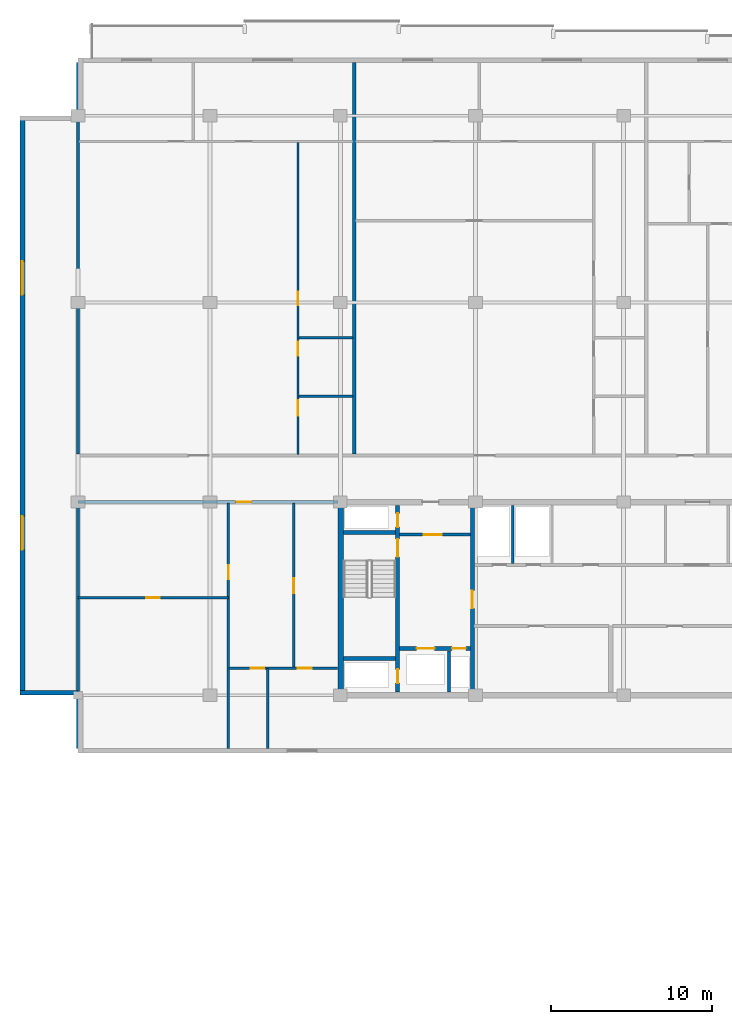
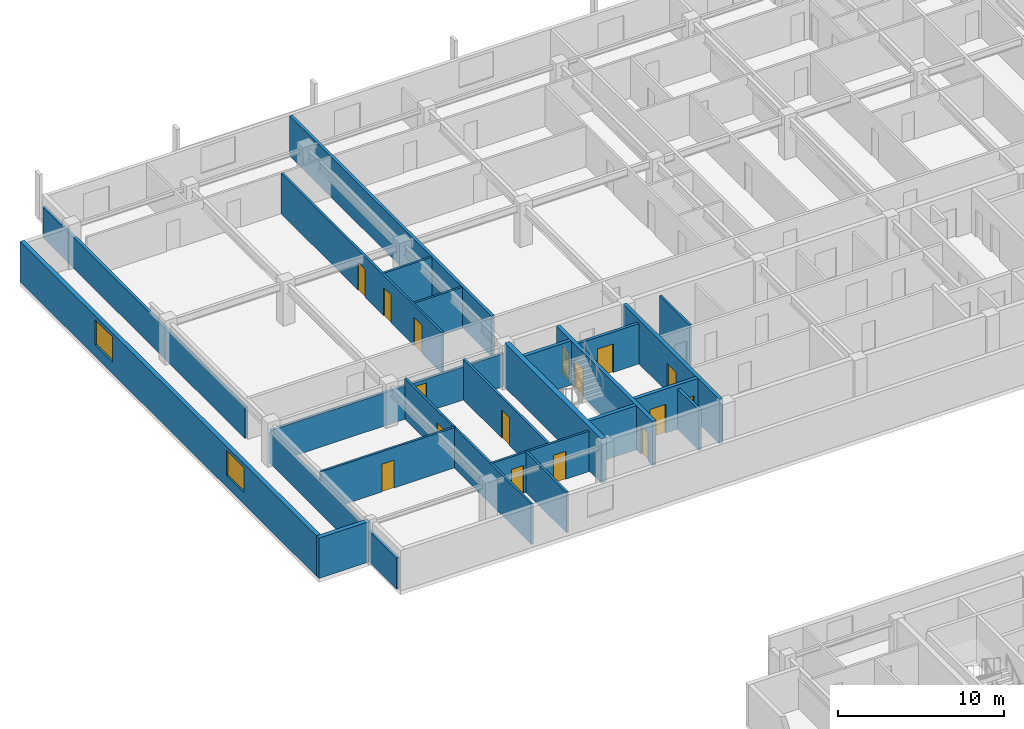
# One storey, part 10 of 21: 23 walls, 16 doors, 2 windows, 18 openings.
"""IFC4 building model written with IfcOpenShell, lengths in metres."""

from ifc_helpers import new_model, si_unit, direction, frame, frame_2d, origin, place, context, subcontext, project, spatial, rectangle, extrude, material, layer, layer_set, type_object, element, fill, save


model = new_model("IFC4")

# Units and contexts
model_context = context("Model", 3, precision=1e-05, world=origin(), true_north=direction((0.0, 1.0)))
body_context = subcontext(model_context, "Body", "Model", "MODEL_VIEW")
ifc_project = project(units=[si_unit("LENGTHUNIT", "METRE"), si_unit("AREAUNIT", "SQUARE_METRE"), si_unit("VOLUMEUNIT", "CUBIC_METRE"), si_unit("PLANEANGLEUNIT", "RADIAN"), si_unit("MASSUNIT", "GRAM", prefix="KILO")], contexts=[model_context])

# Site, building, storey
site_placement = place(None, origin())
site = spatial("IfcSite", under=ifc_project, at=site_placement, CompositionType="ELEMENT")
building_placement = place(site_placement, origin())
building = spatial("IfcBuilding", under=site, at=building_placement, Name="Korimba Cascade Residences", CompositionType="ELEMENT")
storey_placement = place(building_placement, frame((0.0, 0.0, 188.10009765625)))
storey = spatial("IfcBuildingStorey", under=building, at=storey_placement, Name="L54", CompositionType="ELEMENT", Elevation=188.10009765625)

# Wall, openings, windows
ifc_material_1 = material(Name="Precast concrete C40/50", Category="concrete")
ifc_layer_1 = layer(ifc_material_1, 0.300048828125)
ifc_layer_set_1 = layer_set([ifc_layer_1], Name="Precast concrete C40/50")
wall_type_1 = type_object("IfcWallType", Name="EW-STONE-300", PredefinedType="STANDARD", material=ifc_layer_set_1)
wall_1_placement = place(storey_placement, frame((56.35009765625, 91.199951171875, 0.0), z_axis=(0.0, 0.0, 1.0), x_axis=(0.0, -1.0, 0.0)))
wall_1 = element("IfcWall", 1, at=wall_1_placement, inside=storey, type_object=wall_type_1, Name="L54 T1 Perimeter Stone Wall E09", PredefinedType="STANDARD", context=body_context, shape_type="SweptSolid", body=[
    extrude(rectangle(XDim=36.0, YDim=0.300048828125, at=frame_2d((18.0, 0.0))), origin(), (0.0, 0.0, 1.0), 2.969970703125),
])
opening_1_placement = place(wall_1_placement, frame((9.030029296875, 0.0, 0.85009765625)))
opening_1 = element("IfcOpeningElement", 2, at=opening_1_placement, cuts=wall_1, Name="Opening W-03", PredefinedType="OPENING", context=body_context, shape_type="SweptSolid", body=[
    extrude(rectangle(XDim=2.10009765625, YDim=1.85009765625, at=frame_2d((1.050048828125, 0.925048828125))), frame((0.0, 0.16015625, 0.0), z_axis=(0.0, -1.0, 0.0), x_axis=(1.0, 0.0, 0.0)), (0.0, 0.0, 1.0), 0.320068359375),
])
opening_2_placement = place(wall_1_placement, frame((24.8701171875, 0.0, 0.85009765625)))
opening_2 = element("IfcOpeningElement", 3, at=opening_2_placement, cuts=wall_1, Name="Opening W-03", PredefinedType="OPENING", context=body_context, shape_type="SweptSolid", body=[
    extrude(rectangle(XDim=2.10009765625, YDim=1.85009765625, at=frame_2d((1.050048828125, 0.925048828125))), frame((0.0, 0.16015625, 0.0), z_axis=(0.0, -1.0, 0.0), x_axis=(1.0, 0.0, 0.0)), (0.0, 0.0, 1.0), 0.320068359375),
])
ifc_material_2 = material(Name="Double-Glazed Aluminium Window", Category="aluminium")
window_type = type_object("IfcWindowType", Name="WIN-CRN-2100", PartitioningType="DOUBLE_PANEL_HORIZONTAL", PredefinedType="WINDOW", material=ifc_material_2)
window_1_placement = place(opening_1_placement, origin())
window_1 = element("IfcWindow", 4, at=window_1_placement, inside=storey, type_object=window_type, Name="L54 T1 End View Window 9.1", OverallHeight=1.85009765625, OverallWidth=2.10009765625, PartitioningType="DOUBLE_PANEL_HORIZONTAL", PredefinedType="WINDOW", context=body_context, shape_type="SweptSolid", body=[
    extrude(rectangle(XDim=2.10009765625, YDim=1.85009765625, at=frame_2d((1.050048828125, 0.925048828125))), frame((0.0, 0.030029296875, 0.0), z_axis=(0.0, -1.0, 0.0), x_axis=(1.0, 0.0, 0.0)), (0.0, 0.0, 1.0), 0.06005859375),
])
fill(opening_1, window_1)
window_2_placement = place(opening_2_placement, origin())
window_2 = element("IfcWindow", 5, at=window_2_placement, inside=storey, type_object=window_type, Name="L54 T1 End View Window 9.2", OverallHeight=1.85009765625, OverallWidth=2.10009765625, PartitioningType="DOUBLE_PANEL_HORIZONTAL", PredefinedType="WINDOW", context=body_context, shape_type="SweptSolid", body=[
    extrude(rectangle(XDim=2.10009765625, YDim=1.85009765625, at=frame_2d((1.050048828125, 0.925048828125))), frame((0.0, 0.030029296875, 0.0), z_axis=(0.0, -1.0, 0.0), x_axis=(1.0, 0.0, 0.0)), (0.0, 0.0, 1.0), 0.06005859375),
])
fill(opening_2, window_2)

# Walls
wall_2_placement = place(storey_placement, frame((56.199951171875, 55.35009765625, 0.0), z_axis=(0.0, 0.0, 1.0), x_axis=(1.0, 0.0, 0.0)))
element("IfcWall", 6, at=wall_2_placement, inside=storey, type_object=wall_type_1, Name="L54 T1 Perimeter Stone Wall E10", PredefinedType="STANDARD", context=body_context, shape_type="SweptSolid", body=[
    extrude(rectangle(XDim=3.60009765625, YDim=0.300048828125, at=frame_2d((1.800048828125, 0.0))), origin(), (0.0, 0.0, 1.0), 2.969970703125),
])
ifc_material_3 = material(Name="Concrete C65/80", Category="concrete")
ifc_layer_2 = layer(ifc_material_3, 0.35009765625)
ifc_layer_set_2 = layer_set([ifc_layer_2], Name="Concrete C65/80")
wall_type_2 = type_object("IfcWallType", Name="WAL-CORE-350", PredefinedType="SHEAR", material=ifc_layer_set_2)
wall_3_placement = place(storey_placement, frame((76.125, 55.375, 0.0), z_axis=(0.0, 0.0, 1.0), x_axis=(0.0, 1.0, 0.0)))
element("IfcWall", 7, at=wall_3_placement, inside=storey, type_object=wall_type_2, Name="L54 Core Shear Wall CW-L54-T1-W", PredefinedType="SHEAR", context=body_context, shape_type="SweptSolid", body=[
    extrude(rectangle(XDim=11.64990234375, YDim=0.35009765625, at=frame_2d((5.824951171875, 0.0))), origin(), (0.0, 0.0, 1.0), 3.25),
])
ifc_layer_3 = layer(ifc_material_1, 0.199951171875)
ifc_layer_set_3 = layer_set([ifc_layer_3], Name="Precast concrete C40/50")
wall_type_3 = type_object("IfcWallType", Name="WAL-IT-200", PredefinedType="PARTITIONING", material=ifc_layer_set_3)
wall_4_placement = place(storey_placement, frame((59.800048828125, 51.89990234375, 0.0), z_axis=(0.0, 0.0, 1.0), x_axis=(0.0, 1.0, 0.0)))
element("IfcWall", 8, at=wall_4_placement, inside=storey, type_object=wall_type_3, Name="L54 Partition Wall WAL-L54-T1-FW-WL", PredefinedType="PARTITIONING", context=body_context, shape_type="SweptSolid", body=[
    extrude(rectangle(XDim=15.300048828125, YDim=0.199951171875, at=frame_2d((7.64990234375, 0.0))), origin(), (0.0, 0.0, 1.0), 2.277099609375),
])

# Wall, opening, door
wall_5_placement = place(storey_placement, frame((59.800048828125, 67.199951171875, 0.0), z_axis=(0.0, 0.0, 1.0), x_axis=(1.0, 0.0, 0.0)))
wall_5 = element("IfcWall", 9, at=wall_5_placement, inside=storey, type_object=wall_type_3, Name="L54 Partition Wall WAL-L54-T1-FW-N", PredefinedType="PARTITIONING", context=body_context, shape_type="SweptSolid", body=[
    extrude(rectangle(XDim=16.14990234375, YDim=0.199951171875, at=frame_2d((8.074951171875, 0.0))), origin(), (0.0, 0.0, 1.0), 2.43310546875),
])
opening_3_placement = place(wall_5_placement, frame((9.823486328125, 0.0, 0.0)))
opening_3 = element("IfcOpeningElement", 10, at=opening_3_placement, cuts=wall_5, Name="Opening D-UN1", PredefinedType="OPENING", context=body_context, shape_type="SweptSolid", body=[
    extrude(rectangle(XDim=0.949951171875, YDim=2.14990234375, at=frame_2d((0.47509765625, 1.074951171875))), frame((0.0, 0.10986328125, 0.0), z_axis=(0.0, -1.0, 0.0), x_axis=(1.0, 0.0, 0.0)), (0.0, 0.0, 1.0), 0.219970703125),
])
ifc_material_4 = material(Name="Fire-Rated Hardwood Apartment Entrance Door", Category="wood")
door_type_1 = type_object("IfcDoorType", Name="DR-FD60-950", OperationType="NOTDEFINED", PredefinedType="DOOR", material=ifc_material_4)
door_1_placement = place(opening_3_placement, origin())
door_1 = element("IfcDoor", 11, at=door_1_placement, inside=storey, type_object=door_type_1, Name="L54-T1-FW Entrance Door", OperationType="SINGLE_SWING_LEFT", OverallHeight=2.14990234375, OverallWidth=0.949951171875, PredefinedType="DOOR", context=body_context, shape_type="SweptSolid", body=[
    extrude(rectangle(XDim=0.949951171875, YDim=2.14990234375, at=frame_2d((0.47509765625, 1.074951171875))), frame((0.0, 0.02490234375, 0.0), z_axis=(0.0, -1.0, 0.0), x_axis=(1.0, 0.0, 0.0)), (0.0, 0.0, 1.0), 0.050048828125),
])
fill(opening_3, door_1)

# Walls
wall_6_placement = place(storey_placement, frame((59.800048828125, 70.179931640625, 0.0), z_axis=(0.0, 0.0, 1.0), x_axis=(0.0, 1.0, 0.0)))
element("IfcWall", 12, at=wall_6_placement, inside=storey, type_object=wall_type_3, Name="L54 Partition Wall WAL-L54-T1-BNDWL", PredefinedType="PARTITIONING", context=body_context, shape_type="SweptSolid", body=[
    extrude(rectangle(XDim=24.320068359375, YDim=0.199951171875, at=frame_2d((12.16015625, 0.0))), origin(), (0.0, 0.0, 1.0), 2.277099609375),
])
wall_7_placement = place(storey_placement, frame((76.96826171875, 70.179931640625, 0.0), z_axis=(0.0, 0.0, 1.0), x_axis=(0.0, 1.0, 0.0)))
element("IfcWall", 13, at=wall_7_placement, inside=storey, type_object=wall_type_3, Name="L54 Partition Wall WAL-L54-T1-DEM-1", PredefinedType="PARTITIONING", context=body_context, shape_type="SweptSolid", body=[
    extrude(rectangle(XDim=24.320068359375, YDim=0.199951171875, at=frame_2d((12.16015625, 0.0))), origin(), (0.0, 0.0, 1.0), 2.969970703125),
])
ifc_material_5 = material(Name="Insulated Acoustic Stud Partition", Category="gypsum")
ifc_layer_4 = layer(ifc_material_5, 0.14990234375)
ifc_layer_set_4 = layer_set([ifc_layer_4], Name="Insulated Acoustic Stud Partition")
wall_type_4 = type_object("IfcWallType", Name="WAL-PART-150", PredefinedType="PARTITIONING", material=ifc_layer_set_4)
wall_8_placement = place(storey_placement, frame((86.800048828125, 63.39990234375, 0.0), z_axis=(0.0, 0.0, 1.0), x_axis=(0.0, 1.0, 0.0)))
element("IfcWall", 14, at=wall_8_placement, inside=storey, type_object=wall_type_4, Name="L54 Partition Wall CW-L54-T1-ERDIV", PredefinedType="PARTITIONING", context=body_context, shape_type="SweptSolid", body=[
    extrude(rectangle(XDim=3.60009765625, YDim=0.14990234375, at=frame_2d((1.800048828125, 0.0))), origin(), (0.0, 0.0, 1.0), 2.969970703125),
])

# Wall, opening, door
wall_9_placement = place(storey_placement, frame((59.800048828125, 61.25, 0.0), z_axis=(0.0, 0.0, 1.0), x_axis=(1.0, 0.0, 0.0)))
wall_9 = element("IfcWall", 15, at=wall_9_placement, inside=storey, type_object=wall_type_4, Name="L54 Partition Wall WAL-L54-T1-FW-STH", PredefinedType="PARTITIONING", context=body_context, shape_type="SweptSolid", body=[
    extrude(rectangle(XDim=9.349853515625, YDim=0.14990234375, at=frame_2d((4.6748046875, 0.0))), origin(), (0.0, 0.0, 1.0), 2.969970703125),
])
opening_4_placement = place(wall_9_placement, frame((4.2548828125, 0.0, 0.0)))
opening_4 = element("IfcOpeningElement", 16, at=opening_4_placement, cuts=wall_9, Name="Opening D-BT1", PredefinedType="OPENING", context=body_context, shape_type="SweptSolid", body=[
    extrude(rectangle(XDim=0.840087890625, YDim=2.0400390625, at=frame_2d((0.419921875, 1.02001953125))), frame((0.0, 0.0849609375, 0.0), z_axis=(0.0, -1.0, 0.0), x_axis=(1.0, 0.0, 0.0)), (0.0, 0.0, 1.0), 0.169921875),
])
ifc_material_6 = material(Name="Moisture-Resistant Bathroom Timber Door", Category="wood")
door_type_2 = type_object("IfcDoorType", Name="DR-INT-850", OperationType="NOTDEFINED", PredefinedType="DOOR", material=ifc_material_6)
door_2_placement = place(opening_4_placement, origin())
door_2 = element("IfcDoor", 17, at=door_2_placement, inside=storey, type_object=door_type_2, Name="L54-T1-FW Dressing Store Door", OperationType="SINGLE_SWING_RIGHT", OverallHeight=2.0400390625, OverallWidth=0.840087890625, PredefinedType="DOOR", context=body_context, shape_type="SweptSolid", body=[
    extrude(rectangle(XDim=0.840087890625, YDim=2.0400390625, at=frame_2d((0.419921875, 1.02001953125))), frame((0.0, 0.02490234375, 0.0), z_axis=(0.0, -1.0, 0.0), x_axis=(1.0, 0.0, 0.0)), (0.0, 0.0, 1.0), 0.050048828125),
])
fill(opening_4, door_2)

wall_10_placement = place(storey_placement, frame((69.14990234375, 51.89990234375, 0.0), z_axis=(0.0, 0.0, 1.0), x_axis=(0.0, 1.0, 0.0)))
wall_10 = element("IfcWall", 18, at=wall_10_placement, inside=storey, type_object=wall_type_4, Name="L54 Partition Wall WAL-L54-T1-FW-STV", PredefinedType="PARTITIONING", context=body_context, shape_type="SweptSolid", body=[
    extrude(rectangle(XDim=15.25, YDim=0.14990234375, at=frame_2d((7.625, 0.0))), origin(), (0.0, 0.0, 1.0), 2.969970703125),
])
opening_5_placement = place(wall_10_placement, frame((10.5, 0.0, 0.0)))
opening_5 = element("IfcOpeningElement", 19, at=opening_5_placement, cuts=wall_10, Name="Opening D-IN2", PredefinedType="OPENING", context=body_context, shape_type="SweptSolid", body=[
    extrude(rectangle(XDim=0.8798828125, YDim=2.06005859375, at=frame_2d((0.43994140625, 1.030029296875))), frame((0.0, 0.0849609375, 0.0), z_axis=(0.0, -1.0, 0.0), x_axis=(1.0, 0.0, 0.0)), (0.0, 0.0, 1.0), 0.169921875),
])
ifc_material_7 = material(Name="Acoustic Timber Bedroom Door", Category="wood")
door_type_3 = type_object("IfcDoorType", Name="DR-INT-880", OperationType="NOTDEFINED", PredefinedType="DOOR", material=ifc_material_7)
door_3_placement = place(opening_5_placement, origin())
door_3 = element("IfcDoor", 20, at=door_3_placement, inside=storey, type_object=door_type_3, Name="L54-T1-FW Study Door", OperationType="SINGLE_SWING_LEFT", OverallHeight=2.06005859375, OverallWidth=0.8798828125, PredefinedType="DOOR", context=body_context, shape_type="SweptSolid", body=[
    extrude(rectangle(XDim=0.8798828125, YDim=2.06005859375, at=frame_2d((0.43994140625, 1.030029296875))), frame((0.0, 0.02490234375, 0.0), z_axis=(0.0, -1.0, 0.0), x_axis=(1.0, 0.0, 0.0)), (0.0, 0.0, 1.0), 0.050048828125),
])
fill(opening_5, door_3)

wall_11_placement = place(storey_placement, frame((73.199951171875, 56.8701171875, 0.0), z_axis=(0.0, 0.0, 1.0), x_axis=(0.0, 1.0, 0.0)))
wall_11 = element("IfcWall", 21, at=wall_11_placement, inside=storey, type_object=wall_type_4, Name="L54 Partition Wall WAL-L54-T1-FW-VN", PredefinedType="PARTITIONING", context=body_context, shape_type="SweptSolid", body=[
    extrude(rectangle(XDim=10.27978515625, YDim=0.14990234375, at=frame_2d((5.139892578125, 0.0))), origin(), (0.0, 0.0, 1.0), 2.969970703125),
])
opening_6_placement = place(wall_11_placement, frame((4.679931640625, 0.0, 0.0)))
opening_6 = element("IfcOpeningElement", 22, at=opening_6_placement, cuts=wall_11, Name="Opening D-IN1", PredefinedType="OPENING", context=body_context, shape_type="SweptSolid", body=[
    extrude(rectangle(XDim=0.919921875, YDim=2.080078125, at=frame_2d((0.4599609375, 1.0400390625))), frame((0.0, 0.0849609375, 0.0), z_axis=(0.0, -1.0, 0.0), x_axis=(1.0, 0.0, 0.0)), (0.0, 0.0, 1.0), 0.169921875),
])
ifc_material_8 = material(Name="Acoustic Timber Living Door", Category="wood")
door_type_4 = type_object("IfcDoorType", Name="DR-INT-920", OperationType="NOTDEFINED", PredefinedType="DOOR", material=ifc_material_8)
door_4_placement = place(opening_6_placement, origin())
door_4 = element("IfcDoor", 23, at=door_4_placement, inside=storey, type_object=door_type_4, Name="L54-T1-FW Living Door", OperationType="SINGLE_SWING_RIGHT", OverallHeight=2.080078125, OverallWidth=0.919921875, PredefinedType="DOOR", context=body_context, shape_type="SweptSolid", body=[
    extrude(rectangle(XDim=0.919921875, YDim=2.080078125, at=frame_2d((0.4599609375, 1.0400390625))), frame((0.0, 0.02490234375, 0.0), z_axis=(0.0, -1.0, 0.0), x_axis=(1.0, 0.0, 0.0)), (0.0, 0.0, 1.0), 0.050048828125),
])
fill(opening_6, door_4)

# Wall
wall_12_placement = place(storey_placement, frame((71.60009765625, 51.89990234375, 0.0), z_axis=(0.0, 0.0, 1.0), x_axis=(0.0, 1.0, 0.0)))
element("IfcWall", 24, at=wall_12_placement, inside=storey, type_object=wall_type_4, Name="L54 Partition Wall WAL-L54-T1-FW-VS", PredefinedType="PARTITIONING", context=body_context, shape_type="SweptSolid", body=[
    extrude(rectangle(XDim=4.97021484375, YDim=0.14990234375, at=frame_2d((2.485107421875, 0.0))), origin(), (0.0, 0.0, 1.0), 2.969970703125),
])

# Wall, openings, doors
wall_13_placement = place(storey_placement, frame((69.169921875, 56.8701171875, 0.0), z_axis=(0.0, 0.0, 1.0), x_axis=(1.0, 0.0, 0.0)))
wall_13 = element("IfcWall", 25, at=wall_13_placement, inside=storey, type_object=wall_type_4, Name="L54 Partition Wall WAL-L54-T1-FW-H", PredefinedType="PARTITIONING", context=body_context, shape_type="SweptSolid", body=[
    extrude(rectangle(XDim=6.760009765625, YDim=0.14990234375, at=frame_2d((3.3798828125, 0.0))), origin(), (0.0, 0.0, 1.0), 2.969970703125),
])
opening_7_placement = place(wall_13_placement, frame((1.3623046875, 0.0, 0.0)))
opening_7 = element("IfcOpeningElement", 26, at=opening_7_placement, cuts=wall_13, Name="Opening D-BT1", PredefinedType="OPENING", context=body_context, shape_type="SweptSolid", body=[
    extrude(rectangle(XDim=0.840087890625, YDim=2.0400390625, at=frame_2d((0.419921875, 1.02001953125))), frame((0.0, 0.0849609375, 0.0), z_axis=(0.0, -1.0, 0.0), x_axis=(1.0, 0.0, 0.0)), (0.0, 0.0, 1.0), 0.169921875),
])
opening_8_placement = place(wall_13_placement, frame((4.276611328125, 0.0, 0.0)))
opening_8 = element("IfcOpeningElement", 27, at=opening_8_placement, cuts=wall_13, Name="Opening D-IN2", PredefinedType="OPENING", context=body_context, shape_type="SweptSolid", body=[
    extrude(rectangle(XDim=0.8798828125, YDim=2.06005859375, at=frame_2d((0.43994140625, 1.030029296875))), frame((0.0, 0.0849609375, 0.0), z_axis=(0.0, -1.0, 0.0), x_axis=(1.0, 0.0, 0.0)), (0.0, 0.0, 1.0), 0.169921875),
])
door_5_placement = place(opening_7_placement, origin())
door_5 = element("IfcDoor", 28, at=door_5_placement, inside=storey, type_object=door_type_2, Name="L54-T1-FW Bathroom Door", OperationType="SINGLE_SWING_LEFT", OverallHeight=2.0400390625, OverallWidth=0.840087890625, PredefinedType="DOOR", context=body_context, shape_type="SweptSolid", body=[
    extrude(rectangle(XDim=0.840087890625, YDim=2.0400390625, at=frame_2d((0.419921875, 1.02001953125))), frame((0.0, 0.02490234375, 0.0), z_axis=(0.0, -1.0, 0.0), x_axis=(1.0, 0.0, 0.0)), (0.0, 0.0, 1.0), 0.050048828125),
])
fill(opening_7, door_5)
door_6_placement = place(opening_8_placement, origin())
door_6 = element("IfcDoor", 29, at=door_6_placement, inside=storey, type_object=door_type_3, Name="L54-T1-FW Bedroom Door", OperationType="SINGLE_SWING_RIGHT", OverallHeight=2.06005859375, OverallWidth=0.8798828125, PredefinedType="DOOR", context=body_context, shape_type="SweptSolid", body=[
    extrude(rectangle(XDim=0.8798828125, YDim=2.06005859375, at=frame_2d((0.43994140625, 1.030029296875))), frame((0.0, 0.02490234375, 0.0), z_axis=(0.0, -1.0, 0.0), x_axis=(1.0, 0.0, 0.0)), (0.0, 0.0, 1.0), 0.050048828125),
])
fill(opening_8, door_6)

# Walls
for number, where, z_axis, x_axis, name in (
    (30, (73.5283203125, 73.77001953125, 0.0), (0.0, 0.0, 1.0), (1.0, 0.0, 0.0), "L54 Partition Wall WAL-L54-T1-U01-WCH"),
    (31, (73.5283203125, 77.419921875, 0.0), (0.0, 0.0, 1.0), (1.0, 0.0, 0.0), "L54 Partition Wall WAL-L54-T1-U01-WCH2"),
):
    element("IfcWall", number, at=place(storey_placement, frame(where, z_axis=z_axis, x_axis=x_axis)), inside=storey, type_object=wall_type_4, Name=name, PredefinedType="PARTITIONING", context=body_context, shape_type="SweptSolid", body=[
        extrude(rectangle(XDim=3.35986328125, YDim=0.14990234375, at=frame_2d((1.679931640625, 0.0))), origin(), (0.0, 0.0, 1.0), 2.969970703125),
    ])

# Wall, openings, doors
wall_14_placement = place(storey_placement, frame((73.46826171875, 70.159912109375, 0.0), z_axis=(0.0, 0.0, 1.0), x_axis=(0.0, 1.0, 0.0)))
wall_14 = element("IfcWall", 32, at=wall_14_placement, inside=storey, type_object=wall_type_4, Name="L54 Partition Wall WAL-L54-T1-U01-WCV", PredefinedType="PARTITIONING", context=body_context, shape_type="SweptSolid", body=[
    extrude(rectangle(XDim=19.380126953125, YDim=0.14990234375, at=frame_2d((9.68994140625, 0.0))), origin(), (0.0, 0.0, 1.0), 2.969970703125),
])
opening_9_placement = place(wall_14_placement, frame((2.406005859375, 0.0, 0.0)))
opening_9 = element("IfcOpeningElement", 33, at=opening_9_placement, cuts=wall_14, Name="Opening D-AC1", PredefinedType="OPENING", context=body_context, shape_type="SweptSolid", body=[
    extrude(rectangle(XDim=0.9599609375, YDim=2.10009765625, at=frame_2d((0.47998046875, 1.050048828125))), frame((0.0, 0.0849609375, 0.0), z_axis=(0.0, -1.0, 0.0), x_axis=(1.0, 0.0, 0.0)), (0.0, 0.0, 1.0), 0.169921875),
])
opening_10_placement = place(wall_14_placement, frame((6.132568359375, 0.0, 0.0)))
opening_10 = element("IfcOpeningElement", 34, at=opening_10_placement, cuts=wall_14, Name="Opening D-IN2", PredefinedType="OPENING", context=body_context, shape_type="SweptSolid", body=[
    extrude(rectangle(XDim=0.8798828125, YDim=2.06005859375, at=frame_2d((0.43994140625, 1.030029296875))), frame((0.0, 0.0849609375, 0.0), z_axis=(0.0, -1.0, 0.0), x_axis=(1.0, 0.0, 0.0)), (0.0, 0.0, 1.0), 0.169921875),
])
opening_11_placement = place(wall_14_placement, frame((9.27001953125, 0.0, 0.0)))
opening_11 = element("IfcOpeningElement", 35, at=opening_11_placement, cuts=wall_14, Name="Opening D-BT1", PredefinedType="OPENING", context=body_context, shape_type="SweptSolid", body=[
    extrude(rectangle(XDim=0.840087890625, YDim=2.0400390625, at=frame_2d((0.419921875, 1.02001953125))), frame((0.0, 0.0849609375, 0.0), z_axis=(0.0, -1.0, 0.0), x_axis=(1.0, 0.0, 0.0)), (0.0, 0.0, 1.0), 0.169921875),
])
ifc_material_9 = material(Name="Accessible Acoustic Timber WC Door", Category="wood")
door_type_5 = type_object("IfcDoorType", Name="DR-ACC-950", OperationType="NOTDEFINED", PredefinedType="DOOR", material=ifc_material_9)
door_7_placement = place(opening_9_placement, origin())
door_7 = element("IfcDoor", 36, at=door_7_placement, inside=storey, type_object=door_type_5, Name="L54-T1-U01 Accessible WC Door", OperationType="SINGLE_SWING_RIGHT", OverallHeight=2.10009765625, OverallWidth=0.9599609375, PredefinedType="DOOR", context=body_context, shape_type="SweptSolid", body=[
    extrude(rectangle(XDim=0.9599609375, YDim=2.10009765625, at=frame_2d((0.47998046875, 1.050048828125))), frame((0.0, 0.02490234375, 0.0), z_axis=(0.0, -1.0, 0.0), x_axis=(1.0, 0.0, 0.0)), (0.0, 0.0, 1.0), 0.050048828125),
])
fill(opening_9, door_7)
door_8_placement = place(opening_11_placement, origin())
door_8 = element("IfcDoor", 37, at=door_8_placement, inside=storey, type_object=door_type_2, Name="L54-T1-U01 Suite Store Door", OperationType="SINGLE_SWING_RIGHT", OverallHeight=2.0400390625, OverallWidth=0.840087890625, PredefinedType="DOOR", context=body_context, shape_type="SweptSolid", body=[
    extrude(rectangle(XDim=0.840087890625, YDim=2.0400390625, at=frame_2d((0.419921875, 1.02001953125))), frame((0.0, 0.02490234375, 0.0), z_axis=(0.0, -1.0, 0.0), x_axis=(1.0, 0.0, 0.0)), (0.0, 0.0, 1.0), 0.050048828125),
])
fill(opening_11, door_8)
door_9_placement = place(opening_10_placement, origin())
door_9 = element("IfcDoor", 38, at=door_9_placement, inside=storey, type_object=door_type_3, Name="L54-T1-U01 Restroom WC Door", OperationType="SINGLE_SWING_LEFT", OverallHeight=2.06005859375, OverallWidth=0.8798828125, PredefinedType="DOOR", context=body_context, shape_type="SweptSolid", body=[
    extrude(rectangle(XDim=0.8798828125, YDim=2.06005859375, at=frame_2d((0.43994140625, 1.030029296875))), frame((0.0, 0.02490234375, 0.0), z_axis=(0.0, -1.0, 0.0), x_axis=(1.0, 0.0, 0.0)), (0.0, 0.0, 1.0), 0.050048828125),
])
fill(opening_10, door_9)

# Wall
ifc_material_10 = material(Name="Concrete C40/50", Category="concrete")
ifc_layer_5 = layer(ifc_material_10, 0.199951171875)
ifc_layer_set_5 = layer_set([ifc_layer_5], Name="Concrete C40/50")
wall_type_5 = type_object("IfcWallType", Name="WAL-PART-200", PredefinedType="PARTITIONING", material=ifc_layer_set_5)
wall_15_placement = place(storey_placement, frame((82.85009765625, 55.39990234375, 0.0), z_axis=(0.0, 0.0, 1.0), x_axis=(0.0, 1.0, 0.0)))
element("IfcWall", 39, at=wall_15_placement, inside=storey, type_object=wall_type_5, Name="L54 Partition Wall CW-L54-T1-FFLDIV", PredefinedType="PARTITIONING", context=body_context, shape_type="SweptSolid", body=[
    extrude(rectangle(XDim=2.56005859375, YDim=0.199951171875, at=frame_2d((1.280029296875, 0.0))), origin(), (0.0, 0.0, 1.0), 2.969970703125),
])

# Wall, opening, door
wall_16_placement = place(storey_placement, frame((79.7900390625, 65.179931640625, 0.0), z_axis=(0.0, 0.0, 1.0), x_axis=(1.0, 0.0, 0.0)))
wall_16 = element("IfcWall", 40, at=wall_16_placement, inside=storey, type_object=wall_type_5, Name="L54 Partition Wall CW-L54-T1-FFLN", PredefinedType="PARTITIONING", context=body_context, shape_type="SweptSolid", body=[
    extrude(rectangle(XDim=4.389892578125, YDim=0.199951171875, at=frame_2d((2.19482421875, 0.0))), origin(), (0.0, 0.0, 1.0), 2.969970703125),
])
opening_12_placement = place(wall_16_placement, frame((1.5, 0.0, 0.0)))
opening_12 = element("IfcOpeningElement", 41, at=opening_12_placement, cuts=wall_16, Name="Opening D-FD1", PredefinedType="OPENING", context=body_context, shape_type="SweptSolid", body=[
    extrude(rectangle(XDim=1.10009765625, YDim=2.10009765625, at=frame_2d((0.550048828125, 1.050048828125))), frame((0.0, 0.10986328125, 0.0), z_axis=(0.0, -1.0, 0.0), x_axis=(1.0, 0.0, 0.0)), (0.0, 0.0, 1.0), 0.219970703125),
])
ifc_material_11 = material(Name="Fire-Rated Steel Core Door", Category="steel")
door_type_6 = type_object("IfcDoorType", Name="DR-FD120-1100", OperationType="NOTDEFINED", PredefinedType="DOOR", material=ifc_material_11)
door_10_placement = place(opening_12_placement, origin())
door_10 = element("IfcDoor", 42, at=door_10_placement, inside=storey, type_object=door_type_6, Name="L54 West Firefighting Lobby Door", OperationType="SINGLE_SWING_RIGHT", OverallHeight=2.10009765625, OverallWidth=1.10009765625, PredefinedType="DOOR", context=body_context, shape_type="SweptSolid", body=[
    extrude(rectangle(XDim=1.10009765625, YDim=2.10009765625, at=frame_2d((0.550048828125, 1.050048828125))), frame((0.0, 0.02490234375, 0.0), z_axis=(0.0, -1.0, 0.0), x_axis=(1.0, 0.0, 0.0)), (0.0, 0.0, 1.0), 0.050048828125),
])
fill(opening_12, door_10)

# Wall, openings, doors
ifc_material_12 = material(Name="Concrete C50/60", Category="concrete")
ifc_layer_6 = layer(ifc_material_12, 0.25)
ifc_layer_set_6 = layer_set([ifc_layer_6], Name="Concrete C50/60")
wall_type_6 = type_object("IfcWallType", Name="WAL-SHAFT-250", PredefinedType="SHEAR", material=ifc_layer_set_6)
wall_17_placement = place(storey_placement, frame((79.6650390625, 55.39990234375, 0.0), z_axis=(0.0, 0.0, 1.0), x_axis=(0.0, 1.0, 0.0)))
wall_17 = element("IfcWall", 43, at=wall_17_placement, inside=storey, type_object=wall_type_6, Name="L54 Core Shear Wall CW-L54-T1-STW1E", PredefinedType="SHEAR", context=body_context, shape_type="SweptSolid", body=[
    extrude(rectangle(XDim=11.60009765625, YDim=0.25, at=frame_2d((5.800048828125, 0.0))), origin(), (0.0, 0.0, 1.0), 3.25),
])
opening_13_placement = place(wall_17_placement, frame((0.550048828125, 0.0, 0.0)))
opening_13 = element("IfcOpeningElement", 44, at=opening_13_placement, cuts=wall_17, Name="Opening D-RS1", PredefinedType="OPENING", context=body_context, shape_type="SweptSolid", body=[
    extrude(rectangle(XDim=0.85009765625, YDim=2.050048828125, at=frame_2d((0.425048828125, 1.02490234375))), frame((0.0, 0.135009765625, 0.0), z_axis=(0.0, -1.0, 0.0), x_axis=(1.0, 0.0, 0.0)), (0.0, 0.0, 1.0), 0.27001953125),
])
opening_14_placement = place(wall_17_placement, frame((8.39990234375, 0.0, 0.0)))
opening_14 = element("IfcOpeningElement", 45, at=opening_14_placement, cuts=wall_17, Name="Opening D-FD1", PredefinedType="OPENING", context=body_context, shape_type="SweptSolid", body=[
    extrude(rectangle(XDim=1.10009765625, YDim=2.10009765625, at=frame_2d((0.550048828125, 1.050048828125))), frame((0.0, 0.135009765625, 0.0), z_axis=(0.0, -1.0, 0.0), x_axis=(1.0, 0.0, 0.0)), (0.0, 0.0, 1.0), 0.27001953125),
])
opening_15_placement = place(wall_17_placement, frame((10.25, 0.0, 0.0)))
opening_15 = element("IfcOpeningElement", 46, at=opening_15_placement, cuts=wall_17, Name="Opening D-RS1", PredefinedType="OPENING", context=body_context, shape_type="SweptSolid", body=[
    extrude(rectangle(XDim=0.85009765625, YDim=2.050048828125, at=frame_2d((0.425048828125, 1.02490234375))), frame((0.0, 0.135009765625, 0.0), z_axis=(0.0, -1.0, 0.0), x_axis=(1.0, 0.0, 0.0)), (0.0, 0.0, 1.0), 0.27001953125),
])
door_11_placement = place(opening_14_placement, origin())
door_11 = element("IfcDoor", 47, at=door_11_placement, inside=storey, type_object=door_type_6, Name="L54 Fire Stair ST-W1 Door", OperationType="SINGLE_SWING_LEFT", OverallHeight=2.10009765625, OverallWidth=1.10009765625, PredefinedType="DOOR", context=body_context, shape_type="SweptSolid", body=[
    extrude(rectangle(XDim=1.10009765625, YDim=2.10009765625, at=frame_2d((0.550048828125, 1.050048828125))), frame((0.0, 0.02490234375, 0.0), z_axis=(0.0, -1.0, 0.0), x_axis=(1.0, 0.0, 0.0)), (0.0, 0.0, 1.0), 0.050048828125),
])
fill(opening_14, door_11)
ifc_material_13 = material(Name="Fire-Rated Steel Riser Access Door", Category="steel")
door_type_7 = type_object("IfcDoorType", Name="DR-FD60-850", OperationType="NOTDEFINED", PredefinedType="DOOR", material=ifc_material_13)
door_12_placement = place(opening_13_placement, origin())
door_12 = element("IfcDoor", 48, at=door_12_placement, inside=storey, type_object=door_type_7, Name="L54 Smoke Riser Access Door", OperationType="SINGLE_SWING_RIGHT", OverallHeight=2.050048828125, OverallWidth=0.85009765625, PredefinedType="DOOR", context=body_context, shape_type="SweptSolid", body=[
    extrude(rectangle(XDim=0.85009765625, YDim=2.050048828125, at=frame_2d((0.425048828125, 1.02490234375))), frame((0.0, 0.02490234375, 0.0), z_axis=(0.0, -1.0, 0.0), x_axis=(1.0, 0.0, 0.0)), (0.0, 0.0, 1.0), 0.050048828125),
])
fill(opening_13, door_12)
door_13_placement = place(opening_15_placement, origin())
door_13 = element("IfcDoor", 49, at=door_13_placement, inside=storey, type_object=door_type_7, Name="L54 Hydrant Riser Access Door", OperationType="SINGLE_SWING_RIGHT", OverallHeight=2.050048828125, OverallWidth=0.85009765625, PredefinedType="DOOR", context=body_context, shape_type="SweptSolid", body=[
    extrude(rectangle(XDim=0.85009765625, YDim=2.050048828125, at=frame_2d((0.425048828125, 1.02490234375))), frame((0.0, 0.02490234375, 0.0), z_axis=(0.0, -1.0, 0.0), x_axis=(1.0, 0.0, 0.0)), (0.0, 0.0, 1.0), 0.050048828125),
])
fill(opening_15, door_13)

# Walls
for number, where, z_axis, x_axis, name in (
    (50, (76.300048828125, 57.47509765625, 0.0), (0.0, 0.0, 1.0), (1.0, 0.0, 0.0), "L54 Core Shear Wall CW-L54-T1-STW1S"),
    (51, (76.300048828125, 65.324951171875, 0.0), (0.0, 0.0, 1.0), (1.0, 0.0, 0.0), "L54 Core Shear Wall CW-L54-T1-STW1N"),
):
    element("IfcWall", number, at=place(storey_placement, frame(where, z_axis=z_axis, x_axis=x_axis)), inside=storey, type_object=wall_type_6, Name=name, PredefinedType="SHEAR", context=body_context, shape_type="SweptSolid", body=[
        extrude(rectangle(XDim=3.239990234375, YDim=0.25, at=frame_2d((1.6201171875, 0.0))), origin(), (0.0, 0.0, 1.0), 3.25),
    ])

# Wall, openings, doors
wall_18_placement = place(storey_placement, frame((79.7900390625, 58.10009765625, 0.0), z_axis=(0.0, 0.0, 1.0), x_axis=(1.0, 0.0, 0.0)))
wall_18 = element("IfcWall", 52, at=wall_18_placement, inside=storey, type_object=wall_type_6, Name="L54 Core Shear Wall CW-L54-T1-FFLS", PredefinedType="SHEAR", context=body_context, shape_type="SweptSolid", body=[
    extrude(rectangle(XDim=4.389892578125, YDim=0.25, at=frame_2d((2.19482421875, 0.0))), origin(), (0.0, 0.0, 1.0), 3.25),
])
opening_16_placement = place(wall_18_placement, frame((1.050048828125, 0.0, 0.0)))
opening_16 = element("IfcOpeningElement", 53, at=opening_16_placement, cuts=wall_18, Name="Opening LD-01", PredefinedType="OPENING", context=body_context, shape_type="SweptSolid", body=[
    extrude(rectangle(XDim=1.1201171875, YDim=2.1201171875, at=frame_2d((0.56005859375, 1.06005859375))), frame((0.0, 0.135009765625, 0.0), z_axis=(0.0, -1.0, 0.0), x_axis=(1.0, 0.0, 0.0)), (0.0, 0.0, 1.0), 0.27001953125),
])
opening_17_placement = place(wall_18_placement, frame((3.260009765625, 0.0, 0.0)))
opening_17 = element("IfcOpeningElement", 54, at=opening_17_placement, cuts=wall_18, Name="Opening D-RS1", PredefinedType="OPENING", context=body_context, shape_type="SweptSolid", body=[
    extrude(rectangle(XDim=0.85009765625, YDim=2.050048828125, at=frame_2d((0.425048828125, 1.02490234375))), frame((0.0, 0.135009765625, 0.0), z_axis=(0.0, -1.0, 0.0), x_axis=(1.0, 0.0, 0.0)), (0.0, 0.0, 1.0), 0.27001953125),
])
door_14_placement = place(opening_17_placement, origin())
door_14 = element("IfcDoor", 55, at=door_14_placement, inside=storey, type_object=door_type_7, Name="L54 Pressurisation Riser Door", OperationType="SINGLE_SWING_LEFT", OverallHeight=2.050048828125, OverallWidth=0.85009765625, PredefinedType="DOOR", context=body_context, shape_type="SweptSolid", body=[
    extrude(rectangle(XDim=0.85009765625, YDim=2.050048828125, at=frame_2d((0.425048828125, 1.02490234375))), frame((0.0, 0.02490234375, 0.0), z_axis=(0.0, -1.0, 0.0), x_axis=(1.0, 0.0, 0.0)), (0.0, 0.0, 1.0), 0.050048828125),
])
fill(opening_17, door_14)
ifc_material_14 = material(Name="Stainless Steel Lift Landing Sliding Door", Category="steel")
door_type_8 = type_object("IfcDoorType", Name="DR-LIFT-1100", OperationType="NOTDEFINED", PredefinedType="DOOR", material=ifc_material_14)
door_15_placement = place(opening_16_placement, origin())
door_15 = element("IfcDoor", 56, at=door_15_placement, inside=storey, type_object=door_type_8, Name="L54 Firefighting Lift Landing Door FFL-W1", OperationType="SLIDING_TO_LEFT", OverallHeight=2.1201171875, OverallWidth=1.1201171875, PredefinedType="DOOR", context=body_context, shape_type="SweptSolid", body=[
    extrude(rectangle(XDim=1.1201171875, YDim=2.1201171875, at=frame_2d((0.56005859375, 1.06005859375))), frame((0.0, 0.02490234375, 0.0), z_axis=(0.0, -1.0, 0.0), x_axis=(1.0, 0.0, 0.0)), (0.0, 0.0, 1.0), 0.050048828125),
])
fill(opening_16, door_15)

# Wall, opening, door
wall_19_placement = place(storey_placement, frame((84.300048828125, 55.39990234375, 0.0), z_axis=(0.0, 0.0, 1.0), x_axis=(0.0, 1.0, 0.0)))
wall_19 = element("IfcWall", 57, at=wall_19_placement, inside=storey, type_object=wall_type_6, Name="L54 Core Shear Wall CW-L54-T1-FFLE", PredefinedType="SHEAR", context=body_context, shape_type="SweptSolid", body=[
    extrude(rectangle(XDim=11.60009765625, YDim=0.25, at=frame_2d((5.800048828125, 0.0))), origin(), (0.0, 0.0, 1.0), 3.25),
])
opening_18_placement = place(wall_19_placement, frame((5.199951171875, 0.0, 0.0)))
opening_18 = element("IfcOpeningElement", 58, at=opening_18_placement, cuts=wall_19, Name="Opening D-FD1", PredefinedType="OPENING", context=body_context, shape_type="SweptSolid", body=[
    extrude(rectangle(XDim=1.10009765625, YDim=2.10009765625, at=frame_2d((0.550048828125, 1.050048828125))), frame((0.0, 0.135009765625, 0.0), z_axis=(0.0, -1.0, 0.0), x_axis=(1.0, 0.0, 0.0)), (0.0, 0.0, 1.0), 0.27001953125),
])
door_16_placement = place(opening_18_placement, origin())
door_16 = element("IfcDoor", 59, at=door_16_placement, inside=storey, type_object=door_type_6, Name="L54 Firefighting Lobby to Lift Lobby Door", OperationType="SINGLE_SWING_LEFT", OverallHeight=2.10009765625, OverallWidth=1.10009765625, PredefinedType="DOOR", context=body_context, shape_type="SweptSolid", body=[
    extrude(rectangle(XDim=1.10009765625, YDim=2.10009765625, at=frame_2d((0.550048828125, 1.050048828125))), frame((0.0, 0.02490234375, 0.0), z_axis=(0.0, -1.0, 0.0), x_axis=(1.0, 0.0, 0.0)), (0.0, 0.0, 1.0), 0.050048828125),
])
fill(opening_18, door_16)

save(model, "model.ifc")
